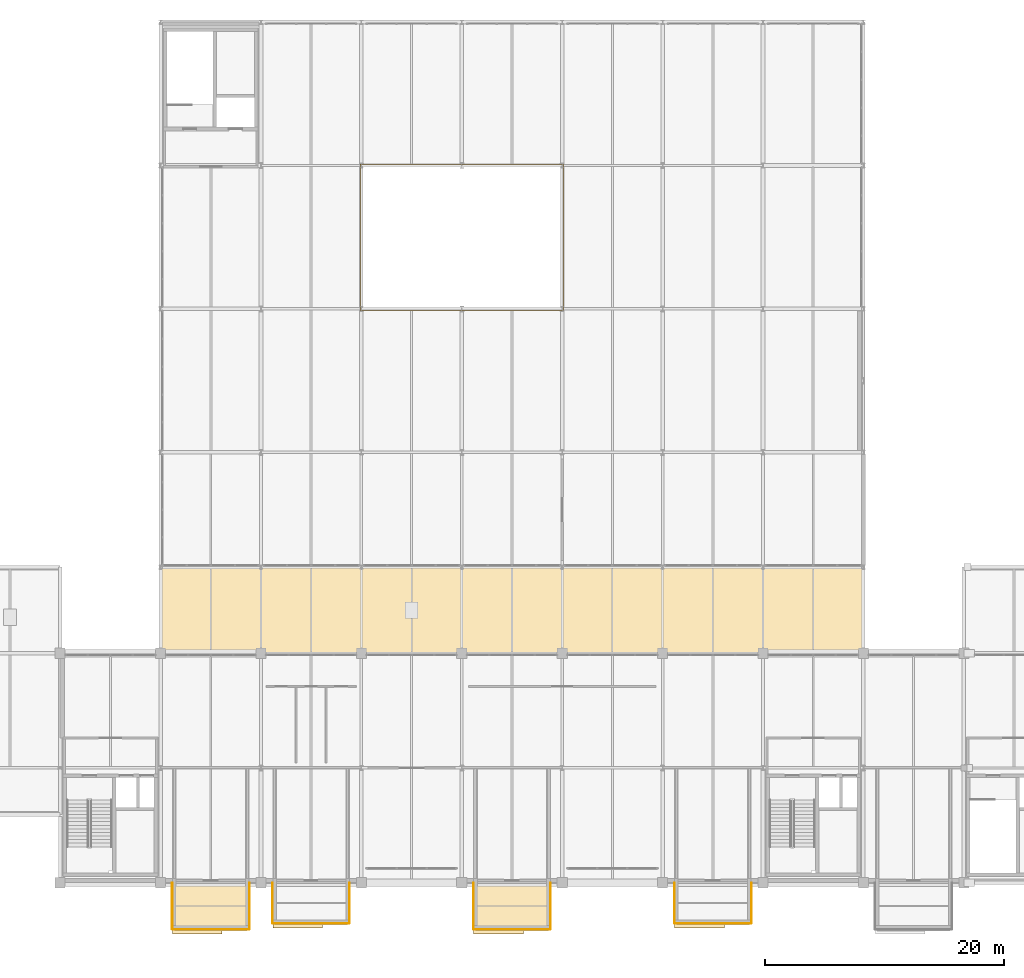
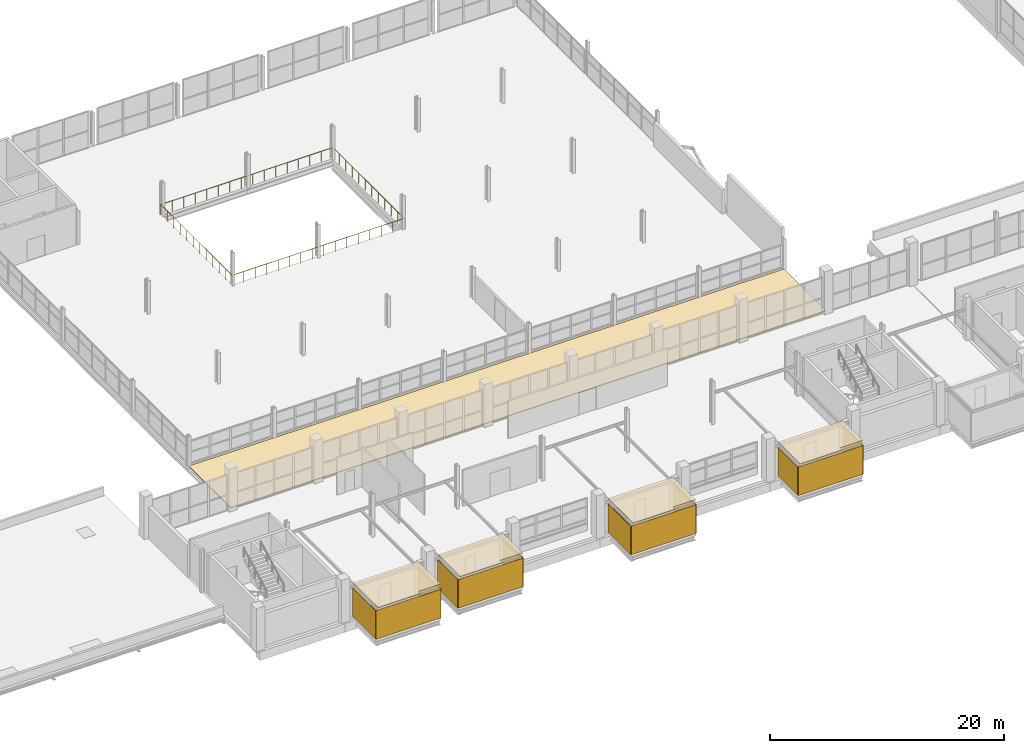
# One storey, part 99 of 103: 17 coverings, 1 railing.
"""IFC4 building model written with IfcOpenShell, lengths in metres."""

from ifc_helpers import new_model, si_unit, direction, frame, frame_2d, origin, origin_2d, place, context, subcontext, project, spatial, polyline, rectangle, circle, outline, extrude, material, layer, layer_set, type_object, element, save


model = new_model("IFC4")

# Units and contexts
model_context = context("Model", 3, precision=1e-05, world=origin(), true_north=direction((0.0, 1.0)))
body_context = subcontext(model_context, "Body", "Model", "MODEL_VIEW")
ifc_project = project(units=[si_unit("LENGTHUNIT", "METRE"), si_unit("AREAUNIT", "SQUARE_METRE"), si_unit("VOLUMEUNIT", "CUBIC_METRE"), si_unit("PLANEANGLEUNIT", "RADIAN"), si_unit("MASSUNIT", "GRAM", prefix="KILO")], contexts=[model_context])

# Site, building, storey
site_placement = place(None, origin())
site = spatial("IfcSite", under=ifc_project, at=site_placement, CompositionType="ELEMENT")
building_placement = place(site_placement, origin())
building = spatial("IfcBuilding", under=site, at=building_placement, Name="Veltarok Museum of Natural Sciences", CompositionType="ELEMENT")
storey_placement = place(building_placement, frame((0.0, 0.0, 21.89990234375)))
storey = spatial("IfcBuildingStorey", under=building, at=storey_placement, Name="L04", CompositionType="ELEMENT", Elevation=21.89990234375)

# Coverings
ifc_material_1 = material(Name="Corrugated zinc cladding")
ifc_layer_1 = layer(ifc_material_1, 0.044921875)
ifc_layer_set_1 = layer_set([ifc_layer_1], Name="Corrugated zinc cladding")
covering_type_1 = type_object("IfcCoveringType", Name="Corrugated Titanium-Zinc Rainscreen Cladding 45", PredefinedType="CLADDING", material=ifc_layer_set_1)
covering_1_placement = place(storey_placement, frame((41.0, -3.922119140625, 0.0), z_axis=(0.0, 0.0, 1.0), x_axis=(1.0, 0.0, 0.0)))
element("IfcCovering", 1, at=covering_1_placement, inside=storey, type_object=covering_type_1, Name="Corrugated Zinc Cladding DB-19-S", PredefinedType="CLADDING", context=body_context, shape_type="SweptSolid", body=[
    extrude(rectangle(XDim=6.39990234375, YDim=0.044921875, at=frame_2d((3.199951171875, 0.0))), origin(), (0.0, 0.0, 1.0), 2.989990234375),
])
for number, where, z_axis, x_axis, name in (
    (2, (40.97802734375, 0.0, 0.0), (0.0, 0.0, 1.0), (0.0, -1.0, 0.0), "Corrugated Zinc Cladding DB-19-W"),
    (3, (47.422119140625, -3.89990234375, 0.0), (0.0, 0.0, 1.0), (0.0, 1.0, 0.0), "Corrugated Zinc Cladding DB-19-E"),
):
    element("IfcCovering", number, at=place(storey_placement, frame(where, z_axis=z_axis, x_axis=x_axis)), inside=storey, type_object=covering_type_1, Name=name, PredefinedType="CLADDING", context=body_context, shape_type="SweptSolid", body=[
        extrude(rectangle(XDim=3.89990234375, YDim=0.044921875, at=frame_2d((1.949951171875, 0.0))), origin(), (0.0, 0.0, 1.0), 2.989990234375),
    ])
covering_2_placement = place(storey_placement, frame((49.39990234375, -3.422119140625, 0.0), z_axis=(0.0, 0.0, 1.0), x_axis=(1.0, 0.0, 0.0)))
element("IfcCovering", 4, at=covering_2_placement, inside=storey, type_object=covering_type_1, Name="Corrugated Zinc Cladding DB-20-S", PredefinedType="CLADDING", context=body_context, shape_type="SweptSolid", body=[
    extrude(rectangle(XDim=6.400146484375, YDim=0.044921875, at=frame_2d((3.2001953125, 0.0))), origin(), (0.0, 0.0, 1.0), 2.989990234375),
])
for number, where, z_axis, x_axis, name in (
    (5, (49.3779296875, 0.0, 0.0), (0.0, 0.0, 1.0), (0.0, -1.0, 0.0), "Corrugated Zinc Cladding DB-20-W"),
    (6, (55.822021484375, -3.39990234375, 0.0), (0.0, 0.0, 1.0), (0.0, 1.0, 0.0), "Corrugated Zinc Cladding DB-20-E"),
):
    element("IfcCovering", number, at=place(storey_placement, frame(where, z_axis=z_axis, x_axis=x_axis)), inside=storey, type_object=covering_type_1, Name=name, PredefinedType="CLADDING", context=body_context, shape_type="SweptSolid", body=[
        extrude(rectangle(XDim=3.39990234375, YDim=0.044921875, at=frame_2d((1.699951171875, 0.0))), origin(), (0.0, 0.0, 1.0), 2.989990234375),
    ])
covering_3_placement = place(storey_placement, frame((66.199951171875, -3.922119140625, 0.0), z_axis=(0.0, 0.0, 1.0), x_axis=(1.0, 0.0, 0.0)))
element("IfcCovering", 7, at=covering_3_placement, inside=storey, type_object=covering_type_1, Name="Corrugated Zinc Cladding DB-21-S", PredefinedType="CLADDING", context=body_context, shape_type="SweptSolid", body=[
    extrude(rectangle(XDim=6.400146484375, YDim=0.044921875, at=frame_2d((3.2001953125, 0.0))), origin(), (0.0, 0.0, 1.0), 2.989990234375),
])
for number, where, z_axis, x_axis, name in (
    (8, (66.177978515625, 0.0, 0.0), (0.0, 0.0, 1.0), (0.0, -1.0, 0.0), "Corrugated Zinc Cladding DB-21-W"),
    (9, (72.6220703125, -3.89990234375, 0.0), (0.0, 0.0, 1.0), (0.0, 1.0, 0.0), "Corrugated Zinc Cladding DB-21-E"),
):
    element("IfcCovering", number, at=place(storey_placement, frame(where, z_axis=z_axis, x_axis=x_axis)), inside=storey, type_object=covering_type_1, Name=name, PredefinedType="CLADDING", context=body_context, shape_type="SweptSolid", body=[
        extrude(rectangle(XDim=3.89990234375, YDim=0.044921875, at=frame_2d((1.949951171875, 0.0))), origin(), (0.0, 0.0, 1.0), 2.989990234375),
    ])
covering_4_placement = place(storey_placement, frame((83.0, -3.422119140625, 0.0), z_axis=(0.0, 0.0, 1.0), x_axis=(1.0, 0.0, 0.0)))
element("IfcCovering", 10, at=covering_4_placement, inside=storey, type_object=covering_type_1, Name="Corrugated Zinc Cladding DB-22-S", PredefinedType="CLADDING", context=body_context, shape_type="SweptSolid", body=[
    extrude(rectangle(XDim=6.39990234375, YDim=0.044921875, at=frame_2d((3.199951171875, 0.0))), origin(), (0.0, 0.0, 1.0), 2.989990234375),
])
for number, where, z_axis, x_axis, name in (
    (11, (82.97802734375, 0.0, 0.0), (0.0, 0.0, 1.0), (0.0, -1.0, 0.0), "Corrugated Zinc Cladding DB-22-W"),
    (12, (89.422119140625, -3.39990234375, 0.0), (0.0, 0.0, 1.0), (0.0, 1.0, 0.0), "Corrugated Zinc Cladding DB-22-E"),
):
    element("IfcCovering", number, at=place(storey_placement, frame(where, z_axis=z_axis, x_axis=x_axis)), inside=storey, type_object=covering_type_1, Name=name, PredefinedType="CLADDING", context=body_context, shape_type="SweptSolid", body=[
        extrude(rectangle(XDim=3.39990234375, YDim=0.044921875, at=frame_2d((1.699951171875, 0.0))), origin(), (0.0, 0.0, 1.0), 2.989990234375),
    ])
ifc_material_2 = material(Name="EPDM waterproofing membrane")
ifc_layer_2 = layer(ifc_material_2, 0.06005859375)
ifc_layer_set_2 = layer_set([ifc_layer_2], Name="EPDM waterproofing membrane")
covering_type_2 = type_object("IfcCoveringType", Name="EPDM Waterproofing and Acoustic Roof Membrane 60", PredefinedType="ROOFING", material=ifc_layer_set_2)
covering_5_placement = place(storey_placement, origin())
element("IfcCovering", 13, at=covering_5_placement, inside=storey, type_object=covering_type_2, Name="Roof Waterproofing RF-V2S", PredefinedType="ROOFING", context=body_context, shape_type="SweptSolid", body=[
    extrude(outline(polyline([(40.0, 19.199951171875), (40.0, 26.3798828125), (98.800048828125, 26.3798828125), (98.800048828125, 19.199951171875), (40.0, 19.199951171875)])), origin(), (0.0, 0.0, 1.0), 0.06005859375),
])
covering_6_placement = place(storey_placement, frame((0.0, 0.0, 3.4501953125)))
element("IfcCovering", 14, at=covering_6_placement, inside=storey, type_object=covering_type_2, Name="Cabinet Box Roof Membrane DB-19", PredefinedType="ROOFING", context=body_context, shape_type="SweptSolid", body=[
    extrude(outline(polyline([(41.0, -4.280029296875), (45.159912109375, -4.280029296875), (45.159912109375, -3.89990234375), (47.39990234375, -3.89990234375), (47.39990234375, 0.0), (41.0, 0.0), (41.0, -4.280029296875)])), origin(), (0.0, 0.0, 1.0), 0.059814453125),
])
covering_7_placement = place(storey_placement, frame((0.0, 0.0, 3.4501953125)))
element("IfcCovering", 15, at=covering_7_placement, inside=storey, type_object=covering_type_2, Name="Cabinet Box Roof Membrane DB-20", PredefinedType="ROOFING", context=body_context, shape_type="SweptSolid", body=[
    extrude(outline(polyline([(49.39990234375, -3.780029296875), (53.56005859375, -3.780029296875), (53.56005859375, -3.39990234375), (55.800048828125, -3.39990234375), (55.800048828125, 0.0), (49.39990234375, 0.0), (49.39990234375, -3.780029296875)])), origin(), (0.0, 0.0, 1.0), 0.059814453125),
])
covering_8_placement = place(storey_placement, frame((0.0, 0.0, 3.4501953125)))
element("IfcCovering", 16, at=covering_8_placement, inside=storey, type_object=covering_type_2, Name="Cabinet Box Roof Membrane DB-21", PredefinedType="ROOFING", context=body_context, shape_type="SweptSolid", body=[
    extrude(outline(polyline([(66.199951171875, -4.280029296875), (70.360107421875, -4.280029296875), (70.360107421875, -3.89990234375), (72.60009765625, -3.89990234375), (72.60009765625, 0.0), (66.199951171875, 0.0), (66.199951171875, -4.280029296875)])), origin(), (0.0, 0.0, 1.0), 0.059814453125),
])
covering_9_placement = place(storey_placement, frame((0.0, 0.0, 3.4501953125)))
element("IfcCovering", 17, at=covering_9_placement, inside=storey, type_object=covering_type_2, Name="Cabinet Box Roof Membrane DB-22", PredefinedType="ROOFING", context=body_context, shape_type="SweptSolid", body=[
    extrude(outline(polyline([(83.0, -3.780029296875), (87.159912109375, -3.780029296875), (87.159912109375, -3.39990234375), (89.39990234375, -3.39990234375), (89.39990234375, 0.0), (83.0, 0.0), (83.0, -3.780029296875)])), origin(), (0.0, 0.0, 1.0), 0.059814453125),
])

# Railing
ifc_material_3 = material(Name="Steel S355J2", Category="steel")
railing_type = type_object("IfcRailingType", Name="Interior Atrium and Stairwell Guardrail 1100", PredefinedType="GUARDRAIL", material=ifc_material_3)
railing_placement = place(storey_placement, frame((56.699951171875, 47.89990234375, 0.0)))
element("IfcRailing", 18, at=railing_placement, inside=storey, type_object=railing_type, Name="Central Atrium Guardrail L04-1", PredefinedType="GUARDRAIL", context=body_context, shape_type="SweptSolid", body=[
    extrude(circle(Radius=0.02392578125, at=origin_2d()), frame((0.0, 0.0, 1.076171875), z_axis=(1.0, 0.0, 0.0), x_axis=(0.0, 1.0, 0.0)), (0.0, 0.0, 1.0), 17.0),
    extrude(circle(Radius=0.02392578125, at=origin_2d()), frame((17.0, 0.0, 1.076171875), z_axis=(0.0, 1.0, 0.0), x_axis=(-1.0, 0.0, 0.0)), (0.0, 0.0, 1.0), 12.2001953125),
    extrude(circle(Radius=0.02392578125, at=origin_2d()), frame((17.0, 12.2001953125, 1.076171875), z_axis=(-1.0, 0.0, 0.0), x_axis=(0.0, -1.0, 0.0)), (0.0, 0.0, 1.0), 17.0),
    extrude(circle(Radius=0.02392578125, at=origin_2d()), frame((0.0, 12.2001953125, 1.076171875), z_axis=(0.0, -1.0, 0.0), x_axis=(1.0, 0.0, 0.0)), (0.0, 0.0, 1.0), 12.2001953125),
    extrude(circle(Radius=0.02099609375, at=origin_2d()), origin(), (0.0, 0.0, 1.0), 1.052001953125),
    extrude(circle(Radius=0.02099609375, at=origin_2d()), frame((1.13330078125, 0.0, 0.0)), (0.0, 0.0, 1.0), 1.052001953125),
    extrude(circle(Radius=0.02099609375, at=origin_2d()), frame((2.2666015625, 0.0, 0.0)), (0.0, 0.0, 1.0), 1.052001953125),
    extrude(circle(Radius=0.02099609375, at=origin_2d()), frame((3.39990234375, 0.0, 0.0)), (0.0, 0.0, 1.0), 1.052001953125),
    extrude(circle(Radius=0.02099609375, at=origin_2d()), frame((4.533447265625, 0.0, 0.0)), (0.0, 0.0, 1.0), 1.052001953125),
    extrude(circle(Radius=0.02099609375, at=origin_2d()), frame((5.666748046875, 0.0, 0.0)), (0.0, 0.0, 1.0), 1.052001953125),
    extrude(circle(Radius=0.02099609375, at=origin_2d()), frame((6.800048828125, 0.0, 0.0)), (0.0, 0.0, 1.0), 1.052001953125),
    extrude(circle(Radius=0.02099609375, at=origin_2d()), frame((7.933349609375, 0.0, 0.0)), (0.0, 0.0, 1.0), 1.052001953125),
    extrude(circle(Radius=0.02099609375, at=origin_2d()), frame((9.066650390625, 0.0, 0.0)), (0.0, 0.0, 1.0), 1.052001953125),
    extrude(circle(Radius=0.02099609375, at=origin_2d()), frame((10.199951171875, 0.0, 0.0)), (0.0, 0.0, 1.0), 1.052001953125),
    extrude(circle(Radius=0.02099609375, at=origin_2d()), frame((11.333251953125, 0.0, 0.0)), (0.0, 0.0, 1.0), 1.052001953125),
    extrude(circle(Radius=0.02099609375, at=origin_2d()), frame((12.466552734375, 0.0, 0.0)), (0.0, 0.0, 1.0), 1.052001953125),
    extrude(circle(Radius=0.02099609375, at=origin_2d()), frame((13.60009765625, 0.0, 0.0)), (0.0, 0.0, 1.0), 1.052001953125),
    extrude(circle(Radius=0.02099609375, at=origin_2d()), frame((14.7333984375, 0.0, 0.0)), (0.0, 0.0, 1.0), 1.052001953125),
    extrude(circle(Radius=0.02099609375, at=origin_2d()), frame((15.86669921875, 0.0, 0.0)), (0.0, 0.0, 1.0), 1.052001953125),
    extrude(circle(Radius=0.02099609375, at=origin_2d()), frame((17.0, 0.0, 0.0)), (0.0, 0.0, 1.0), 1.052001953125),
    extrude(circle(Radius=0.02099609375, at=origin_2d()), frame((17.0, 1.109130859375, 0.0)), (0.0, 0.0, 1.0), 1.052001953125),
    extrude(circle(Radius=0.02099609375, at=origin_2d()), frame((17.0, 2.21826171875, 0.0)), (0.0, 0.0, 1.0), 1.052001953125),
    extrude(circle(Radius=0.02099609375, at=origin_2d()), frame((17.0, 3.327392578125, 0.0)), (0.0, 0.0, 1.0), 1.052001953125),
    extrude(circle(Radius=0.02099609375, at=origin_2d()), frame((17.0, 4.4365234375, 0.0)), (0.0, 0.0, 1.0), 1.052001953125),
    extrude(circle(Radius=0.02099609375, at=origin_2d()), frame((17.0, 5.545654296875, 0.0)), (0.0, 0.0, 1.0), 1.052001953125),
    extrude(circle(Radius=0.02099609375, at=origin_2d()), frame((17.0, 6.654541015625, 0.0)), (0.0, 0.0, 1.0), 1.052001953125),
    extrude(circle(Radius=0.02099609375, at=origin_2d()), frame((17.0, 7.763671875, 0.0)), (0.0, 0.0, 1.0), 1.052001953125),
    extrude(circle(Radius=0.02099609375, at=origin_2d()), frame((17.0, 8.872802734375, 0.0)), (0.0, 0.0, 1.0), 1.052001953125),
    extrude(circle(Radius=0.02099609375, at=origin_2d()), frame((17.0, 9.98193359375, 0.0)), (0.0, 0.0, 1.0), 1.052001953125),
    extrude(circle(Radius=0.02099609375, at=origin_2d()), frame((17.0, 11.091064453125, 0.0)), (0.0, 0.0, 1.0), 1.052001953125),
    extrude(circle(Radius=0.02099609375, at=origin_2d()), frame((17.0, 12.2001953125, 0.0)), (0.0, 0.0, 1.0), 1.052001953125),
    extrude(circle(Radius=0.02099609375, at=origin_2d()), frame((15.86669921875, 12.2001953125, 0.0)), (0.0, 0.0, 1.0), 1.052001953125),
    extrude(circle(Radius=0.02099609375, at=origin_2d()), frame((14.7333984375, 12.2001953125, 0.0)), (0.0, 0.0, 1.0), 1.052001953125),
    extrude(circle(Radius=0.02099609375, at=origin_2d()), frame((13.60009765625, 12.2001953125, 0.0)), (0.0, 0.0, 1.0), 1.052001953125),
    extrude(circle(Radius=0.02099609375, at=origin_2d()), frame((12.466552734375, 12.2001953125, 0.0)), (0.0, 0.0, 1.0), 1.052001953125),
    extrude(circle(Radius=0.02099609375, at=origin_2d()), frame((11.333251953125, 12.2001953125, 0.0)), (0.0, 0.0, 1.0), 1.052001953125),
    extrude(circle(Radius=0.02099609375, at=origin_2d()), frame((10.199951171875, 12.2001953125, 0.0)), (0.0, 0.0, 1.0), 1.052001953125),
    extrude(circle(Radius=0.02099609375, at=origin_2d()), frame((9.066650390625, 12.2001953125, 0.0)), (0.0, 0.0, 1.0), 1.052001953125),
    extrude(circle(Radius=0.02099609375, at=origin_2d()), frame((7.933349609375, 12.2001953125, 0.0)), (0.0, 0.0, 1.0), 1.052001953125),
    extrude(circle(Radius=0.02099609375, at=origin_2d()), frame((6.800048828125, 12.2001953125, 0.0)), (0.0, 0.0, 1.0), 1.052001953125),
    extrude(circle(Radius=0.02099609375, at=origin_2d()), frame((5.666748046875, 12.2001953125, 0.0)), (0.0, 0.0, 1.0), 1.052001953125),
    extrude(circle(Radius=0.02099609375, at=origin_2d()), frame((4.533447265625, 12.2001953125, 0.0)), (0.0, 0.0, 1.0), 1.052001953125),
    extrude(circle(Radius=0.02099609375, at=origin_2d()), frame((3.39990234375, 12.2001953125, 0.0)), (0.0, 0.0, 1.0), 1.052001953125),
    extrude(circle(Radius=0.02099609375, at=origin_2d()), frame((2.2666015625, 12.2001953125, 0.0)), (0.0, 0.0, 1.0), 1.052001953125),
    extrude(circle(Radius=0.02099609375, at=origin_2d()), frame((1.13330078125, 12.2001953125, 0.0)), (0.0, 0.0, 1.0), 1.052001953125),
    extrude(circle(Radius=0.02099609375, at=origin_2d()), frame((0.0, 12.2001953125, 0.0)), (0.0, 0.0, 1.0), 1.052001953125),
    extrude(circle(Radius=0.02099609375, at=origin_2d()), frame((0.0, 11.091064453125, 0.0)), (0.0, 0.0, 1.0), 1.052001953125),
    extrude(circle(Radius=0.02099609375, at=origin_2d()), frame((0.0, 9.98193359375, 0.0)), (0.0, 0.0, 1.0), 1.052001953125),
    extrude(circle(Radius=0.02099609375, at=origin_2d()), frame((0.0, 8.872802734375, 0.0)), (0.0, 0.0, 1.0), 1.052001953125),
    extrude(circle(Radius=0.02099609375, at=origin_2d()), frame((0.0, 7.763671875, 0.0)), (0.0, 0.0, 1.0), 1.052001953125),
    extrude(circle(Radius=0.02099609375, at=origin_2d()), frame((0.0, 6.654541015625, 0.0)), (0.0, 0.0, 1.0), 1.052001953125),
    extrude(circle(Radius=0.02099609375, at=origin_2d()), frame((0.0, 5.545654296875, 0.0)), (0.0, 0.0, 1.0), 1.052001953125),
    extrude(circle(Radius=0.02099609375, at=origin_2d()), frame((0.0, 4.4365234375, 0.0)), (0.0, 0.0, 1.0), 1.052001953125),
    extrude(circle(Radius=0.02099609375, at=origin_2d()), frame((0.0, 3.327392578125, 0.0)), (0.0, 0.0, 1.0), 1.052001953125),
    extrude(circle(Radius=0.02099609375, at=origin_2d()), frame((0.0, 2.21826171875, 0.0)), (0.0, 0.0, 1.0), 1.052001953125),
    extrude(circle(Radius=0.02099609375, at=origin_2d()), frame((0.0, 1.109130859375, 0.0)), (0.0, 0.0, 1.0), 1.052001953125),
])

save(model, "model.ifc")
